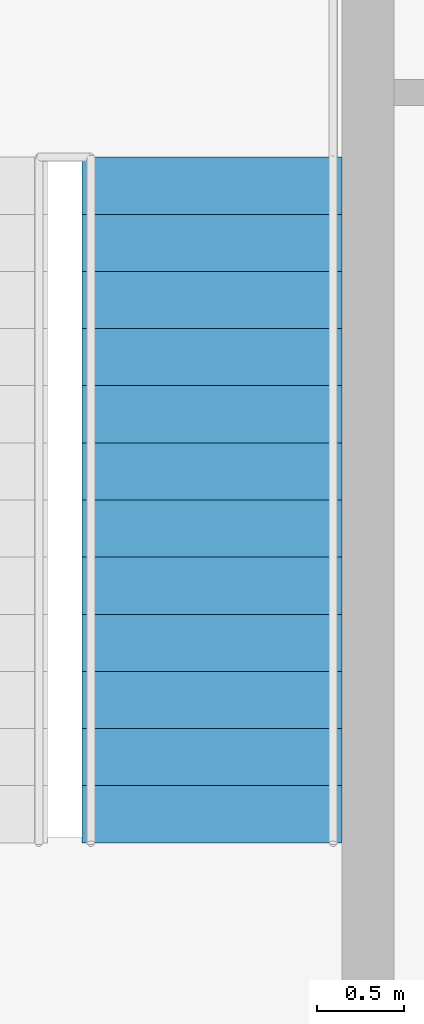
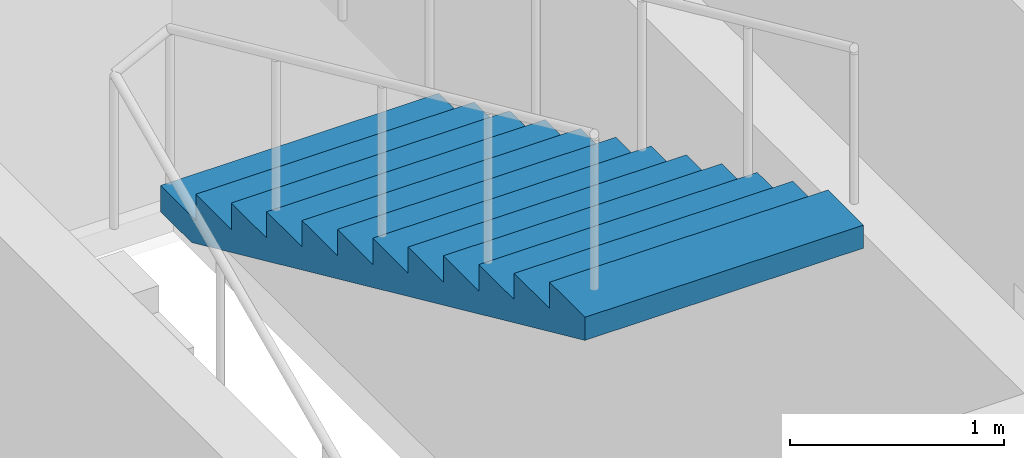
# One storey, part 10 of 11: 1 stair flight, 1 element without a shape of its own.
"""IFC4 building model written with IfcOpenShell, lengths in metres."""

from ifc_helpers import new_model, si_unit, direction, frame, origin, place, context, subcontext, project, spatial, polygons, material, type_object, element, aggregate, save


model = new_model("IFC4")

# Units and contexts
model_context = context("Model", 3, precision=1e-05, world=origin(), true_north=direction((0.0, 1.0)))
body_context = subcontext(model_context, "Body", "Model", "MODEL_VIEW")
ifc_project = project(units=[si_unit("LENGTHUNIT", "METRE"), si_unit("AREAUNIT", "SQUARE_METRE"), si_unit("VOLUMEUNIT", "CUBIC_METRE"), si_unit("PLANEANGLEUNIT", "RADIAN"), si_unit("MASSUNIT", "GRAM", prefix="KILO")], contexts=[model_context])

# Site, building, storey
site_placement = place(None, origin())
site = spatial("IfcSite", under=ifc_project, at=site_placement, CompositionType="ELEMENT")
building_placement = place(site_placement, origin())
building = spatial("IfcBuilding", under=site, at=building_placement, Name="Njiva Tower", CompositionType="ELEMENT")
storey_placement = place(building_placement, frame((0.0, 0.0, 219.9)))
storey = spatial("IfcBuildingStorey", under=building, at=storey_placement, Name="L49", CompositionType="ELEMENT", Elevation=219.9)

# Stair, stair flight
ifc_material = material(Name="Concrete C40/50", Category="concrete")
stair_type = type_object("IfcStairType", Name="ST4 Exit stair 1500", PredefinedType="HALF_TURN_STAIR", material=ifc_material)
stair_placement = place(storey_placement, origin())
stair = element("IfcStair", 1, at=stair_placement, inside=storey, type_object=stair_type, Name="Stair B", PredefinedType="HALF_TURN_STAIR")
stair_flight_type = type_object("IfcStairFlightType", Name="FL4 Stair flight 1500", PredefinedType="STRAIGHT", material=ifc_material)
stair_flight_placement = place(storey_placement, frame((13.45, 15.06, 1.95), z_axis=(0.0, 0.0, 1.0), x_axis=(0.0, -1.0, 0.0)))
stair_flight = element("IfcStairFlight", 2, at=stair_flight_placement, type_object=stair_flight_type, Name="ST-B flight 2", NumberOfRisers=13, NumberOfTreads=12, PredefinedType="STRAIGHT", RiserHeight=0.15, TreadLength=0.33, context=body_context, shape_type="Tessellation", body=[
    polygons([(0.0, 0.75, 0.0), (0.0, 0.375, 0.0), (0.0, 0.0, 0.0), (0.0, -0.375, 0.0), (0.0, -0.75, 0.0), (0.0, 0.75, 0.15), (0.0, 0.375, 0.15), (0.0, 0.0, 0.15), (0.0, -0.375, 0.15), (0.0, -0.75, 0.15), (0.33, 0.75, 0.15), (0.33, 0.375, 0.15), (0.33, 0.0, 0.15), (0.33, -0.375, 0.15), (0.33, -0.75, 0.15), (0.33, 0.75, 0.3), (0.33, 0.375, 0.3), (0.33, 0.0, 0.3), (0.33, -0.375, 0.3), (0.33, -0.75, 0.3), (0.66, 0.75, 0.3), (0.66, 0.375, 0.3), (0.66, 0.0, 0.3), (0.66, -0.375, 0.3), (0.66, -0.75, 0.3), (0.66, 0.75, 0.45), (0.66, 0.375, 0.45), (0.66, 0.0, 0.45), (0.66, -0.375, 0.45), (0.66, -0.75, 0.45), (0.99, 0.75, 0.45), (0.99, 0.375, 0.45), (0.99, 0.0, 0.45), (0.99, -0.375, 0.45), (0.99, -0.75, 0.45), (0.99, 0.75, 0.6), (0.99, 0.375, 0.6), (0.99, 0.0, 0.6), (0.99, -0.375, 0.6), (0.99, -0.75, 0.6), (1.32, 0.75, 0.6), (1.32, 0.375, 0.6), (1.32, 0.0, 0.6), (1.32, -0.375, 0.6), (1.32, -0.75, 0.6), (1.32, 0.75, 0.75), (1.32, 0.375, 0.75), (1.32, 0.0, 0.75), (1.32, -0.375, 0.75), (1.32, -0.75, 0.75), (1.65, 0.75, 0.75), (1.65, 0.375, 0.75), (1.65, 0.0, 0.75), (1.65, -0.375, 0.75), (1.65, -0.75, 0.75), (1.65, 0.75, 0.9), (1.65, 0.375, 0.9), (1.65, 0.0, 0.9), (1.65, -0.375, 0.9), (1.65, -0.75, 0.9), (1.98, 0.75, 0.9), (1.98, 0.375, 0.9), (1.98, 0.0, 0.9), (1.98, -0.375, 0.9), (1.98, -0.75, 0.9), (1.98, 0.75, 1.05), (1.98, 0.375, 1.05), (1.98, 0.0, 1.05), (1.98, -0.375, 1.05), (1.98, -0.75, 1.05), (2.31, 0.75, 1.05), (2.31, 0.375, 1.05), (2.31, 0.0, 1.05), (2.31, -0.375, 1.05), (2.31, -0.75, 1.05), (2.31, 0.75, 1.2), (2.31, 0.375, 1.2), (2.31, 0.0, 1.2), (2.31, -0.375, 1.2), (2.31, -0.75, 1.2), (2.64, 0.75, 1.2), (2.64, 0.375, 1.2), (2.64, 0.0, 1.2), (2.64, -0.375, 1.2), (2.64, -0.75, 1.2), (2.64, 0.75, 1.35), (2.64, 0.375, 1.35), (2.64, 0.0, 1.35), (2.64, -0.375, 1.35), (2.64, -0.75, 1.35), (2.97, 0.75, 1.35), (2.97, 0.375, 1.35), (2.97, 0.0, 1.35), (2.97, -0.375, 1.35), (2.97, -0.75, 1.35), (2.97, 0.75, 1.5), (2.97, 0.375, 1.5), (2.97, 0.0, 1.5), (2.97, -0.375, 1.5), (2.97, -0.75, 1.5), (3.3, 0.75, 1.5), (3.3, 0.375, 1.5), (3.3, 0.0, 1.5), (3.3, -0.375, 1.5), (3.3, -0.75, 1.5), (3.3, 0.75, 1.65), (3.3, 0.375, 1.65), (3.3, 0.0, 1.65), (3.3, -0.375, 1.65), (3.3, -0.75, 1.65), (3.63, 0.75, 1.65), (3.63, 0.375, 1.65), (3.63, 0.0, 1.65), (3.63, -0.375, 1.65), (3.63, -0.75, 1.65), (3.63, 0.75, 1.8), (3.63, 0.375, 1.8), (3.63, 0.0, 1.8), (3.63, -0.375, 1.8), (3.63, -0.75, 1.8), (3.96, 0.75, 1.8), (3.96, 0.375, 1.8), (3.96, 0.0, 1.8), (3.96, -0.375, 1.8), (3.96, -0.75, 1.8), (3.96, 0.75, 1.6682), (3.96, 0.375, 1.6682), (3.96, 0.0, 1.6682), (3.96, -0.375, 1.6682), (3.96, -0.75, 1.6682), (0.29, 0.75, 0.0), (0.29, 0.375, 0.0), (0.29, 0.0, 0.0), (0.29, -0.375, 0.0), (0.29, -0.75, 0.0)], [[[1, 6, 11, 16, 21, 26, 31, 36, 41, 46, 51, 56, 61, 66, 71, 76, 81, 86, 91, 96, 101, 106, 111, 116, 121, 126, 131]], [[135, 130, 125, 120, 115, 110, 105, 100, 95, 90, 85, 80, 75, 70, 65, 60, 55, 50, 45, 40, 35, 30, 25, 20, 15, 10, 5]], [[6, 1, 2, 7]], [[7, 2, 3, 8]], [[8, 3, 4, 9]], [[9, 4, 5, 10]], [[11, 6, 7, 12]], [[12, 7, 8, 13]], [[13, 8, 9, 14]], [[14, 9, 10, 15]], [[16, 11, 12, 17]], [[17, 12, 13, 18]], [[18, 13, 14, 19]], [[19, 14, 15, 20]], [[21, 16, 17, 22]], [[22, 17, 18, 23]], [[23, 18, 19, 24]], [[24, 19, 20, 25]], [[26, 21, 22, 27]], [[27, 22, 23, 28]], [[28, 23, 24, 29]], [[29, 24, 25, 30]], [[31, 26, 27, 32]], [[32, 27, 28, 33]], [[33, 28, 29, 34]], [[34, 29, 30, 35]], [[36, 31, 32, 37]], [[37, 32, 33, 38]], [[38, 33, 34, 39]], [[39, 34, 35, 40]], [[41, 36, 37, 42]], [[42, 37, 38, 43]], [[43, 38, 39, 44]], [[44, 39, 40, 45]], [[46, 41, 42, 47]], [[47, 42, 43, 48]], [[48, 43, 44, 49]], [[49, 44, 45, 50]], [[51, 46, 47, 52]], [[52, 47, 48, 53]], [[53, 48, 49, 54]], [[54, 49, 50, 55]], [[56, 51, 52, 57]], [[57, 52, 53, 58]], [[58, 53, 54, 59]], [[59, 54, 55, 60]], [[61, 56, 57, 62]], [[62, 57, 58, 63]], [[63, 58, 59, 64]], [[64, 59, 60, 65]], [[66, 61, 62, 67]], [[67, 62, 63, 68]], [[68, 63, 64, 69]], [[69, 64, 65, 70]], [[71, 66, 67, 72]], [[72, 67, 68, 73]], [[73, 68, 69, 74]], [[74, 69, 70, 75]], [[76, 71, 72, 77]], [[77, 72, 73, 78]], [[78, 73, 74, 79]], [[79, 74, 75, 80]], [[81, 76, 77, 82]], [[82, 77, 78, 83]], [[83, 78, 79, 84]], [[84, 79, 80, 85]], [[86, 81, 82, 87]], [[87, 82, 83, 88]], [[88, 83, 84, 89]], [[89, 84, 85, 90]], [[91, 86, 87, 92]], [[92, 87, 88, 93]], [[93, 88, 89, 94]], [[94, 89, 90, 95]], [[96, 91, 92, 97]], [[97, 92, 93, 98]], [[98, 93, 94, 99]], [[99, 94, 95, 100]], [[101, 96, 97, 102]], [[102, 97, 98, 103]], [[103, 98, 99, 104]], [[104, 99, 100, 105]], [[106, 101, 102, 107]], [[107, 102, 103, 108]], [[108, 103, 104, 109]], [[109, 104, 105, 110]], [[111, 106, 107, 112]], [[112, 107, 108, 113]], [[113, 108, 109, 114]], [[114, 109, 110, 115]], [[116, 111, 112, 117]], [[117, 112, 113, 118]], [[118, 113, 114, 119]], [[119, 114, 115, 120]], [[121, 116, 117, 122]], [[122, 117, 118, 123]], [[123, 118, 119, 124]], [[124, 119, 120, 125]], [[126, 121, 122, 127]], [[127, 122, 123, 128]], [[128, 123, 124, 129]], [[129, 124, 125, 130]], [[131, 126, 127, 132]], [[132, 127, 128, 133]], [[133, 128, 129, 134]], [[134, 129, 130, 135]], [[1, 131, 132, 2]], [[2, 132, 133, 3]], [[3, 133, 134, 4]], [[4, 134, 135, 5]]], closed=True),
])
aggregate(stair, [stair_flight])

save(model, "model.ifc")
